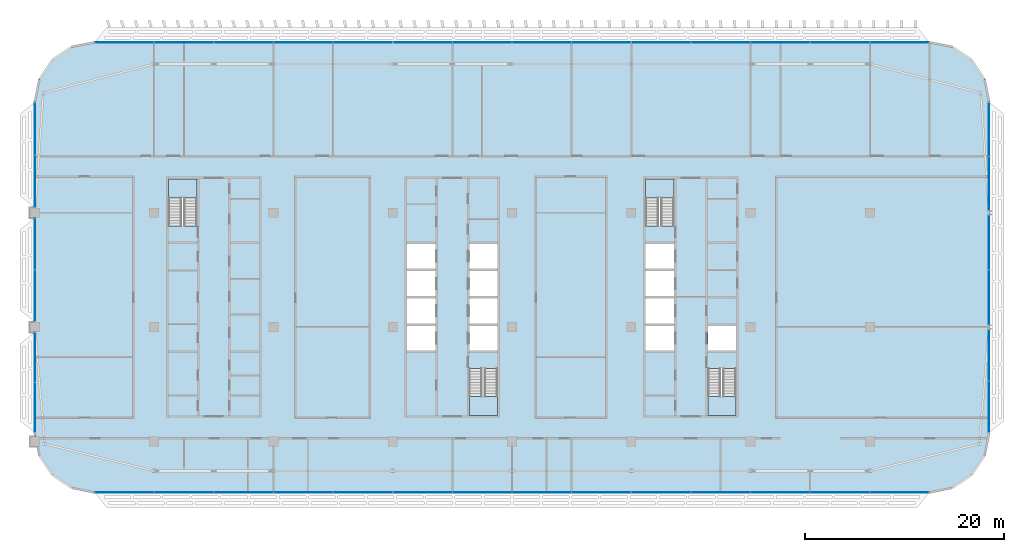
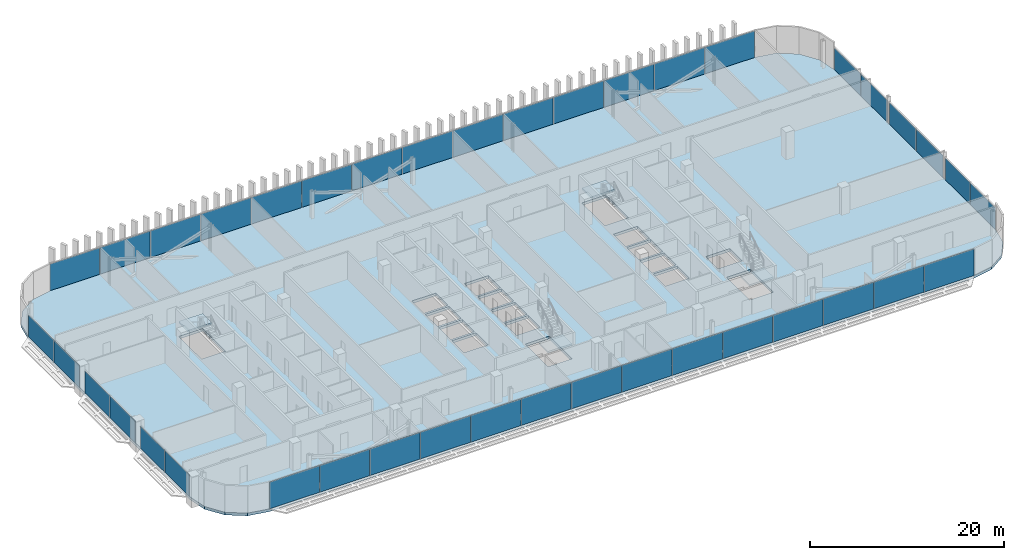
# One storey, part 16 of 32: 40 plates, 5 slabs, 12 elements without a shape of their own.
"""IFC4 building model written with IfcOpenShell, lengths in metres."""

from ifc_helpers import new_model, si_unit, direction, frame, origin, origin_2d, place, context, subcontext, project, spatial, polyline, rectangle, outline, extrude, material, layer, layer_set, type_object, element, aggregate, save


model = new_model("IFC4")

# Units and contexts
model_context = context("Model", 3, precision=1e-05, world=origin(), true_north=direction((0.0, 1.0)))
body_context = subcontext(model_context, "Body", "Model", "MODEL_VIEW")
ifc_project = project(units=[si_unit("LENGTHUNIT", "METRE"), si_unit("AREAUNIT", "SQUARE_METRE"), si_unit("VOLUMEUNIT", "CUBIC_METRE"), si_unit("PLANEANGLEUNIT", "RADIAN"), si_unit("MASSUNIT", "GRAM", prefix="KILO")], contexts=[model_context])

# Site, building, storey
site_placement = place(None, origin())
site = spatial("IfcSite", under=ifc_project, at=site_placement, CompositionType="ELEMENT")
building_placement = place(site_placement, origin())
building = spatial("IfcBuilding", under=site, at=building_placement, Name="Mahtab Terrace Research Tower", CompositionType="ELEMENT")
storey_placement = place(building_placement, frame((0.0, 0.0, 232.39990234375)))
storey = spatial("IfcBuildingStorey", under=building, at=storey_placement, Name="L56", CompositionType="ELEMENT", Elevation=232.39990234375)

# Stair, slab
ifc_material_1 = material(Name="Exit stair half-turn")
stair_type = type_object("IfcStairType", Name="Exit stair half-turn", PredefinedType="HALF_TURN_STAIR", material=ifc_material_1)
stair_1_placement = place(storey_placement, origin())
stair_1 = element("IfcStair", 1, at=stair_1_placement, inside=storey, type_object=stair_type, Name="L56 Protected exit stair ST1", PredefinedType="HALF_TURN_STAIR")
ifc_material_2 = material(Name="Concrete C40/50", Category="concrete")
ifc_layer_1 = layer(ifc_material_2, 0.199951171875)
ifc_layer_set_1 = layer_set([ifc_layer_1], Name="Exit stair landing 200")
slab_type_1 = type_object("IfcSlabType", Name="Exit stair landing 200", PredefinedType="LANDING", material=ifc_layer_set_1)
slab_1_placement = place(storey_placement, frame((0.0, 0.0, 1.7001953125)))
slab_1 = element("IfcSlab", 2, at=slab_1_placement, type_object=slab_type_1, Name="ST1 landing 1", PredefinedType="LANDING", context=body_context, shape_type="SweptSolid", body=[
    extrude(outline(polyline([(-25.699951171875, 12.97509765625), (-25.699951171875, 14.875), (-28.550048828125, 14.875), (-28.550048828125, 12.97509765625), (-25.699951171875, 12.97509765625)])), origin(), (0.0, 0.0, 1.0), 0.199951171875),
])
aggregate(stair_1, [slab_1])

stair_2_placement = place(storey_placement, origin())
stair_2 = element("IfcStair", 3, at=stair_2_placement, inside=storey, type_object=stair_type, Name="L56 Protected exit stair ST2", PredefinedType="HALF_TURN_STAIR")
slab_2_placement = place(storey_placement, frame((0.0, 0.0, 1.7001953125)))
slab_2 = element("IfcSlab", 4, at=slab_2_placement, type_object=slab_type_1, Name="ST2 landing 1", PredefinedType="LANDING", context=body_context, shape_type="SweptSolid", body=[
    extrude(outline(polyline([(1.699951171875, -6.97509765625), (1.699951171875, -8.875), (4.550048828125, -8.875), (4.550048828125, -6.97509765625), (1.699951171875, -6.97509765625)])), origin(), (0.0, 0.0, 1.0), 0.199951171875),
])
aggregate(stair_2, [slab_2])

stair_3_placement = place(storey_placement, origin())
stair_3 = element("IfcStair", 5, at=stair_3_placement, inside=storey, type_object=stair_type, Name="L56 Protected exit stair ST3", PredefinedType="HALF_TURN_STAIR")
slab_3_placement = place(storey_placement, frame((0.0, 0.0, 1.7001953125)))
slab_3 = element("IfcSlab", 6, at=slab_3_placement, type_object=slab_type_1, Name="ST3 landing 1", PredefinedType="LANDING", context=body_context, shape_type="SweptSolid", body=[
    extrude(outline(polyline([(22.300048828125, 12.97509765625), (22.300048828125, 14.875), (19.449951171875, 14.875), (19.449951171875, 12.97509765625), (22.300048828125, 12.97509765625)])), origin(), (0.0, 0.0, 1.0), 0.199951171875),
])
aggregate(stair_3, [slab_3])

stair_4_placement = place(storey_placement, origin())
stair_4 = element("IfcStair", 7, at=stair_4_placement, inside=storey, type_object=stair_type, Name="L56 Protected exit stair ST4", PredefinedType="HALF_TURN_STAIR")
slab_4_placement = place(storey_placement, frame((0.0, 0.0, 1.7001953125)))
slab_4 = element("IfcSlab", 8, at=slab_4_placement, type_object=slab_type_1, Name="ST4 landing 1", PredefinedType="LANDING", context=body_context, shape_type="SweptSolid", body=[
    extrude(outline(polyline([(25.699951171875, -6.97509765625), (25.699951171875, -8.875), (28.550048828125, -8.875), (28.550048828125, -6.97509765625), (25.699951171875, -6.97509765625)])), origin(), (0.0, 0.0, 1.0), 0.199951171875),
])
aggregate(stair_4, [slab_4])

# Curtain wall, plates
ifc_material_3 = material(Name="Office ribbon curtain wall")
curtain_wall_type = type_object("IfcCurtainWallType", Name="Office ribbon curtain wall", PredefinedType="NOTDEFINED", material=ifc_material_3)
curtain_wall_1_placement = place(storey_placement, origin())
curtain_wall_1 = element("IfcCurtainWall", 9, at=curtain_wall_1_placement, inside=storey, type_object=curtain_wall_type, Name="EN.L56.3.3", PredefinedType="NOTDEFINED")
ifc_material_4 = material(Name="Dark glazing", Category="glass")
ifc_layer_2 = layer(ifc_material_4, 0.030029296875)
ifc_layer_set_2 = layer_set([ifc_layer_2], Name="Office ribbon curtain wall glazing panel")
plate_type = type_object("IfcPlateType", Name="Office ribbon curtain wall glazing panel", PredefinedType="CURTAIN_PANEL", material=ifc_layer_set_2)
plate_1_placement = place(storey_placement, frame((44.985107421875, 28.638916015625, 0.0), z_axis=(0.0, 0.0, 1.0), x_axis=(-1.0, 0.0, 0.0)))
plate_1 = element("IfcPlate", 10, at=plate_1_placement, type_object=plate_type, Name="CWO-7 panel 1", PredefinedType="CURTAIN_PANEL", context=body_context, shape_type="SweptSolid", body=[
    extrude(rectangle(XDim=5.909912109375, YDim=0.030029296875, at=origin_2d()), origin(), (0.0, 0.0, 1.0), 3.360107421875),
])
plate_2_placement = place(storey_placement, frame((39.0, 28.638916015625, 0.0), z_axis=(0.0, 0.0, 1.0), x_axis=(-1.0, 0.0, 0.0)))
plate_2 = element("IfcPlate", 11, at=plate_2_placement, type_object=plate_type, Name="CWO-7 panel 2", PredefinedType="CURTAIN_PANEL", context=body_context, shape_type="SweptSolid", body=[
    extrude(rectangle(XDim=5.93994140625, YDim=0.030029296875, at=origin_2d()), origin(), (0.0, 0.0, 1.0), 3.360107421875),
])
plate_3_placement = place(storey_placement, frame((33.0, 28.638916015625, 0.0), z_axis=(0.0, 0.0, 1.0), x_axis=(-1.0, 0.0, 0.0)))
plate_3 = element("IfcPlate", 12, at=plate_3_placement, type_object=plate_type, Name="CWO-7 panel 3", PredefinedType="CURTAIN_PANEL", context=body_context, shape_type="SweptSolid", body=[
    extrude(rectangle(XDim=5.93994140625, YDim=0.030029296875, at=origin_2d()), origin(), (0.0, 0.0, 1.0), 3.360107421875),
])
plate_4_placement = place(storey_placement, frame((27.0, 28.638916015625, 0.0), z_axis=(0.0, 0.0, 1.0), x_axis=(-1.0, 0.0, 0.0)))
plate_4 = element("IfcPlate", 13, at=plate_4_placement, type_object=plate_type, Name="CWO-7 panel 4", PredefinedType="CURTAIN_PANEL", context=body_context, shape_type="SweptSolid", body=[
    extrude(rectangle(XDim=5.93994140625, YDim=0.030029296875, at=origin_2d()), origin(), (0.0, 0.0, 1.0), 3.360107421875),
])
plate_5_placement = place(storey_placement, frame((21.0, 28.638916015625, 0.0), z_axis=(0.0, 0.0, 1.0), x_axis=(-1.0, 0.0, 0.0)))
plate_5 = element("IfcPlate", 14, at=plate_5_placement, type_object=plate_type, Name="CWO-7 panel 5", PredefinedType="CURTAIN_PANEL", context=body_context, shape_type="SweptSolid", body=[
    extrude(rectangle(XDim=5.93994140625, YDim=0.030029296875, at=origin_2d()), origin(), (0.0, 0.0, 1.0), 3.360107421875),
])
plate_6_placement = place(storey_placement, frame((15.0, 28.638916015625, 0.0), z_axis=(0.0, 0.0, 1.0), x_axis=(-1.0, 0.0, 0.0)))
plate_6 = element("IfcPlate", 15, at=plate_6_placement, type_object=plate_type, Name="CWO-7 panel 6", PredefinedType="CURTAIN_PANEL", context=body_context, shape_type="SweptSolid", body=[
    extrude(rectangle(XDim=5.93994140625, YDim=0.030029296875, at=origin_2d()), origin(), (0.0, 0.0, 1.0), 3.360107421875),
])
plate_7_placement = place(storey_placement, frame((9.0, 28.638916015625, 0.0), z_axis=(0.0, 0.0, 1.0), x_axis=(-1.0, 0.0, 0.0)))
plate_7 = element("IfcPlate", 16, at=plate_7_placement, type_object=plate_type, Name="CWO-7 panel 7", PredefinedType="CURTAIN_PANEL", context=body_context, shape_type="SweptSolid", body=[
    extrude(rectangle(XDim=5.93994140625, YDim=0.030029296875, at=origin_2d()), origin(), (0.0, 0.0, 1.0), 3.360107421875),
])
plate_8_placement = place(storey_placement, frame((3.0, 28.638916015625, 0.0), z_axis=(0.0, 0.0, 1.0), x_axis=(-1.0, 0.0, 0.0)))
plate_8 = element("IfcPlate", 17, at=plate_8_placement, type_object=plate_type, Name="CWO-7 panel 8", PredefinedType="CURTAIN_PANEL", context=body_context, shape_type="SweptSolid", body=[
    extrude(rectangle(XDim=5.93994140625, YDim=0.030029296875, at=origin_2d()), origin(), (0.0, 0.0, 1.0), 3.360107421875),
])
plate_9_placement = place(storey_placement, frame((-3.0, 28.638916015625, 0.0), z_axis=(0.0, 0.0, 1.0), x_axis=(-1.0, 0.0, 0.0)))
plate_9 = element("IfcPlate", 18, at=plate_9_placement, type_object=plate_type, Name="CWO-7 panel 9", PredefinedType="CURTAIN_PANEL", context=body_context, shape_type="SweptSolid", body=[
    extrude(rectangle(XDim=5.93994140625, YDim=0.030029296875, at=origin_2d()), origin(), (0.0, 0.0, 1.0), 3.360107421875),
])
plate_10_placement = place(storey_placement, frame((-9.0, 28.638916015625, 0.0), z_axis=(0.0, 0.0, 1.0), x_axis=(-1.0, 0.0, 0.0)))
plate_10 = element("IfcPlate", 19, at=plate_10_placement, type_object=plate_type, Name="CWO-7 panel 10", PredefinedType="CURTAIN_PANEL", context=body_context, shape_type="SweptSolid", body=[
    extrude(rectangle(XDim=5.93994140625, YDim=0.030029296875, at=origin_2d()), origin(), (0.0, 0.0, 1.0), 3.360107421875),
])
plate_11_placement = place(storey_placement, frame((-15.0, 28.638916015625, 0.0), z_axis=(0.0, 0.0, 1.0), x_axis=(-1.0, 0.0, 0.0)))
plate_11 = element("IfcPlate", 20, at=plate_11_placement, type_object=plate_type, Name="CWO-7 panel 11", PredefinedType="CURTAIN_PANEL", context=body_context, shape_type="SweptSolid", body=[
    extrude(rectangle(XDim=5.93994140625, YDim=0.030029296875, at=origin_2d()), origin(), (0.0, 0.0, 1.0), 3.360107421875),
])
plate_12_placement = place(storey_placement, frame((-21.0, 28.638916015625, 0.0), z_axis=(0.0, 0.0, 1.0), x_axis=(-1.0, 0.0, 0.0)))
plate_12 = element("IfcPlate", 21, at=plate_12_placement, type_object=plate_type, Name="CWO-7 panel 12", PredefinedType="CURTAIN_PANEL", context=body_context, shape_type="SweptSolid", body=[
    extrude(rectangle(XDim=5.93994140625, YDim=0.030029296875, at=origin_2d()), origin(), (0.0, 0.0, 1.0), 3.360107421875),
])
plate_13_placement = place(storey_placement, frame((-27.0, 28.638916015625, 0.0), z_axis=(0.0, 0.0, 1.0), x_axis=(-1.0, 0.0, 0.0)))
plate_13 = element("IfcPlate", 22, at=plate_13_placement, type_object=plate_type, Name="CWO-7 panel 13", PredefinedType="CURTAIN_PANEL", context=body_context, shape_type="SweptSolid", body=[
    extrude(rectangle(XDim=5.93994140625, YDim=0.030029296875, at=origin_2d()), origin(), (0.0, 0.0, 1.0), 3.360107421875),
])
plate_14_placement = place(storey_placement, frame((-32.985107421875, 28.638916015625, 0.0), z_axis=(0.0, 0.0, 1.0), x_axis=(-1.0, 0.0, 0.0)))
plate_14 = element("IfcPlate", 23, at=plate_14_placement, type_object=plate_type, Name="CWO-7 panel 14", PredefinedType="CURTAIN_PANEL", context=body_context, shape_type="SweptSolid", body=[
    extrude(rectangle(XDim=5.909912109375, YDim=0.030029296875, at=origin_2d()), origin(), (0.0, 0.0, 1.0), 3.360107421875),
])
aggregate(curtain_wall_1, [plate_1, plate_2, plate_3, plate_4, plate_5, plate_6, plate_7, plate_8, plate_9, plate_10, plate_11, plate_12, plate_13, plate_14])

curtain_wall_2_placement = place(storey_placement, origin())
curtain_wall_2 = element("IfcCurtainWall", 24, at=curtain_wall_2_placement, inside=storey, type_object=curtain_wall_type, Name="EN.L56.8.8", PredefinedType="NOTDEFINED")
plate_15_placement = place(storey_placement, frame((-42.0, 19.96435546875, 0.0), z_axis=(0.0, 0.0, 1.0), x_axis=(0.0, -1.0, 0.0)))
plate_15 = element("IfcPlate", 25, at=plate_15_placement, type_object=plate_type, Name="CWO-7 panel 1", PredefinedType="CURTAIN_PANEL", context=body_context, shape_type="SweptSolid", body=[
    extrude(rectangle(XDim=5.2294921875, YDim=0.030029296875, at=origin_2d()), origin(), (0.0, 0.0, 1.0), 2.7529296875),
])
plate_16_placement = place(storey_placement, frame((-42.0, 14.6748046875, 0.0), z_axis=(0.0, 0.0, 1.0), x_axis=(0.0, -1.0, 0.0)))
plate_16 = element("IfcPlate", 26, at=plate_16_placement, type_object=plate_type, Name="CWO-7 panel 2", PredefinedType="CURTAIN_PANEL", context=body_context, shape_type="SweptSolid", body=[
    extrude(rectangle(XDim=5.2294921875, YDim=0.030029296875, at=origin_2d()), origin(), (0.0, 0.0, 1.0), 2.7529296875),
])
aggregate(curtain_wall_2, [plate_15, plate_16])

curtain_wall_3_placement = place(storey_placement, origin())
curtain_wall_3 = element("IfcCurtainWall", 27, at=curtain_wall_3_placement, inside=storey, type_object=curtain_wall_type, Name="EN.L56.8.9", PredefinedType="NOTDEFINED")
plate_17_placement = place(storey_placement, frame((-42.0, 8.360107421875, 0.0), z_axis=(0.0, 0.0, 1.0), x_axis=(0.0, -1.0, 0.0)))
plate_17 = element("IfcPlate", 28, at=plate_17_placement, type_object=plate_type, Name="CWO-7 panel 1", PredefinedType="CURTAIN_PANEL", context=body_context, shape_type="SweptSolid", body=[
    extrude(rectangle(XDim=5.159912109375, YDim=0.030029296875, at=origin_2d()), origin(), (0.0, 0.0, 1.0), 2.7529296875),
])
plate_18_placement = place(storey_placement, frame((-42.0, 3.139892578125, 0.0), z_axis=(0.0, 0.0, 1.0), x_axis=(0.0, -1.0, 0.0)))
plate_18 = element("IfcPlate", 29, at=plate_18_placement, type_object=plate_type, Name="CWO-7 panel 2", PredefinedType="CURTAIN_PANEL", context=body_context, shape_type="SweptSolid", body=[
    extrude(rectangle(XDim=5.159912109375, YDim=0.030029296875, at=origin_2d()), origin(), (0.0, 0.0, 1.0), 2.7529296875),
])
aggregate(curtain_wall_3, [plate_17, plate_18])

curtain_wall_4_placement = place(storey_placement, origin())
curtain_wall_4 = element("IfcCurtainWall", 30, at=curtain_wall_4_placement, inside=storey, type_object=curtain_wall_type, Name="EN.L56.8.10", PredefinedType="NOTDEFINED")
plate_19_placement = place(storey_placement, frame((-42.0, -3.0498046875, 0.0), z_axis=(0.0, 0.0, 1.0), x_axis=(0.0, -1.0, 0.0)))
plate_19 = element("IfcPlate", 31, at=plate_19_placement, type_object=plate_type, Name="CWO-7 panel 1", PredefinedType="CURTAIN_PANEL", context=body_context, shape_type="SweptSolid", body=[
    extrude(rectangle(XDim=4.9794921875, YDim=0.030029296875, at=origin_2d()), origin(), (0.0, 0.0, 1.0), 2.7529296875),
])
plate_20_placement = place(storey_placement, frame((-42.0, -8.08935546875, 0.0), z_axis=(0.0, 0.0, 1.0), x_axis=(0.0, -1.0, 0.0)))
plate_20 = element("IfcPlate", 32, at=plate_20_placement, type_object=plate_type, Name="CWO-7 panel 2", PredefinedType="CURTAIN_PANEL", context=body_context, shape_type="SweptSolid", body=[
    extrude(rectangle(XDim=4.9794921875, YDim=0.030029296875, at=origin_2d()), origin(), (0.0, 0.0, 1.0), 2.7529296875),
])
aggregate(curtain_wall_4, [plate_19, plate_20])

curtain_wall_5_placement = place(storey_placement, origin())
curtain_wall_5 = element("IfcCurtainWall", 33, at=curtain_wall_5_placement, inside=storey, type_object=curtain_wall_type, Name="EN.L56.13.16", PredefinedType="NOTDEFINED")
plate_21_placement = place(storey_placement, frame((-32.985107421875, -16.638916015625, 0.0), z_axis=(0.0, 0.0, 1.0), x_axis=(1.0, 0.0, 0.0)))
plate_21 = element("IfcPlate", 34, at=plate_21_placement, type_object=plate_type, Name="CWO-7 panel 1", PredefinedType="CURTAIN_PANEL", context=body_context, shape_type="SweptSolid", body=[
    extrude(rectangle(XDim=5.909912109375, YDim=0.030029296875, at=origin_2d()), origin(), (0.0, 0.0, 1.0), 3.360107421875),
])
plate_22_placement = place(storey_placement, frame((-27.0, -16.638916015625, 0.0), z_axis=(0.0, 0.0, 1.0), x_axis=(1.0, 0.0, 0.0)))
plate_22 = element("IfcPlate", 35, at=plate_22_placement, type_object=plate_type, Name="CWO-7 panel 2", PredefinedType="CURTAIN_PANEL", context=body_context, shape_type="SweptSolid", body=[
    extrude(rectangle(XDim=5.93994140625, YDim=0.030029296875, at=origin_2d()), origin(), (0.0, 0.0, 1.0), 3.360107421875),
])
plate_23_placement = place(storey_placement, frame((-21.0, -16.638916015625, 0.0), z_axis=(0.0, 0.0, 1.0), x_axis=(1.0, 0.0, 0.0)))
plate_23 = element("IfcPlate", 36, at=plate_23_placement, type_object=plate_type, Name="CWO-7 panel 3", PredefinedType="CURTAIN_PANEL", context=body_context, shape_type="SweptSolid", body=[
    extrude(rectangle(XDim=5.93994140625, YDim=0.030029296875, at=origin_2d()), origin(), (0.0, 0.0, 1.0), 3.360107421875),
])
plate_24_placement = place(storey_placement, frame((-15.0, -16.638916015625, 0.0), z_axis=(0.0, 0.0, 1.0), x_axis=(1.0, 0.0, 0.0)))
plate_24 = element("IfcPlate", 37, at=plate_24_placement, type_object=plate_type, Name="CWO-7 panel 4", PredefinedType="CURTAIN_PANEL", context=body_context, shape_type="SweptSolid", body=[
    extrude(rectangle(XDim=5.93994140625, YDim=0.030029296875, at=origin_2d()), origin(), (0.0, 0.0, 1.0), 3.360107421875),
])
plate_25_placement = place(storey_placement, frame((-9.0, -16.638916015625, 0.0), z_axis=(0.0, 0.0, 1.0), x_axis=(1.0, 0.0, 0.0)))
plate_25 = element("IfcPlate", 38, at=plate_25_placement, type_object=plate_type, Name="CWO-7 panel 5", PredefinedType="CURTAIN_PANEL", context=body_context, shape_type="SweptSolid", body=[
    extrude(rectangle(XDim=5.93994140625, YDim=0.030029296875, at=origin_2d()), origin(), (0.0, 0.0, 1.0), 3.360107421875),
])
plate_26_placement = place(storey_placement, frame((-3.0, -16.638916015625, 0.0), z_axis=(0.0, 0.0, 1.0), x_axis=(1.0, 0.0, 0.0)))
plate_26 = element("IfcPlate", 39, at=plate_26_placement, type_object=plate_type, Name="CWO-7 panel 6", PredefinedType="CURTAIN_PANEL", context=body_context, shape_type="SweptSolid", body=[
    extrude(rectangle(XDim=5.93994140625, YDim=0.030029296875, at=origin_2d()), origin(), (0.0, 0.0, 1.0), 3.360107421875),
])
plate_27_placement = place(storey_placement, frame((3.0, -16.638916015625, 0.0), z_axis=(0.0, 0.0, 1.0), x_axis=(1.0, 0.0, 0.0)))
plate_27 = element("IfcPlate", 40, at=plate_27_placement, type_object=plate_type, Name="CWO-7 panel 7", PredefinedType="CURTAIN_PANEL", context=body_context, shape_type="SweptSolid", body=[
    extrude(rectangle(XDim=5.93994140625, YDim=0.030029296875, at=origin_2d()), origin(), (0.0, 0.0, 1.0), 3.360107421875),
])
plate_28_placement = place(storey_placement, frame((9.0, -16.638916015625, 0.0), z_axis=(0.0, 0.0, 1.0), x_axis=(1.0, 0.0, 0.0)))
plate_28 = element("IfcPlate", 41, at=plate_28_placement, type_object=plate_type, Name="CWO-7 panel 8", PredefinedType="CURTAIN_PANEL", context=body_context, shape_type="SweptSolid", body=[
    extrude(rectangle(XDim=5.93994140625, YDim=0.030029296875, at=origin_2d()), origin(), (0.0, 0.0, 1.0), 3.360107421875),
])
plate_29_placement = place(storey_placement, frame((15.0, -16.638916015625, 0.0), z_axis=(0.0, 0.0, 1.0), x_axis=(1.0, 0.0, 0.0)))
plate_29 = element("IfcPlate", 42, at=plate_29_placement, type_object=plate_type, Name="CWO-7 panel 9", PredefinedType="CURTAIN_PANEL", context=body_context, shape_type="SweptSolid", body=[
    extrude(rectangle(XDim=5.93994140625, YDim=0.030029296875, at=origin_2d()), origin(), (0.0, 0.0, 1.0), 3.360107421875),
])
plate_30_placement = place(storey_placement, frame((21.0, -16.638916015625, 0.0), z_axis=(0.0, 0.0, 1.0), x_axis=(1.0, 0.0, 0.0)))
plate_30 = element("IfcPlate", 43, at=plate_30_placement, type_object=plate_type, Name="CWO-7 panel 10", PredefinedType="CURTAIN_PANEL", context=body_context, shape_type="SweptSolid", body=[
    extrude(rectangle(XDim=5.93994140625, YDim=0.030029296875, at=origin_2d()), origin(), (0.0, 0.0, 1.0), 3.360107421875),
])
plate_31_placement = place(storey_placement, frame((27.0, -16.638916015625, 0.0), z_axis=(0.0, 0.0, 1.0), x_axis=(1.0, 0.0, 0.0)))
plate_31 = element("IfcPlate", 44, at=plate_31_placement, type_object=plate_type, Name="CWO-7 panel 11", PredefinedType="CURTAIN_PANEL", context=body_context, shape_type="SweptSolid", body=[
    extrude(rectangle(XDim=5.93994140625, YDim=0.030029296875, at=origin_2d()), origin(), (0.0, 0.0, 1.0), 3.360107421875),
])
plate_32_placement = place(storey_placement, frame((33.0, -16.638916015625, 0.0), z_axis=(0.0, 0.0, 1.0), x_axis=(1.0, 0.0, 0.0)))
plate_32 = element("IfcPlate", 45, at=plate_32_placement, type_object=plate_type, Name="CWO-7 panel 12", PredefinedType="CURTAIN_PANEL", context=body_context, shape_type="SweptSolid", body=[
    extrude(rectangle(XDim=5.93994140625, YDim=0.030029296875, at=origin_2d()), origin(), (0.0, 0.0, 1.0), 3.360107421875),
])
plate_33_placement = place(storey_placement, frame((39.0, -16.638916015625, 0.0), z_axis=(0.0, 0.0, 1.0), x_axis=(1.0, 0.0, 0.0)))
plate_33 = element("IfcPlate", 46, at=plate_33_placement, type_object=plate_type, Name="CWO-7 panel 13", PredefinedType="CURTAIN_PANEL", context=body_context, shape_type="SweptSolid", body=[
    extrude(rectangle(XDim=5.93994140625, YDim=0.030029296875, at=origin_2d()), origin(), (0.0, 0.0, 1.0), 3.360107421875),
])
plate_34_placement = place(storey_placement, frame((44.985107421875, -16.638916015625, 0.0), z_axis=(0.0, 0.0, 1.0), x_axis=(1.0, 0.0, 0.0)))
plate_34 = element("IfcPlate", 47, at=plate_34_placement, type_object=plate_type, Name="CWO-7 panel 14", PredefinedType="CURTAIN_PANEL", context=body_context, shape_type="SweptSolid", body=[
    extrude(rectangle(XDim=5.909912109375, YDim=0.030029296875, at=origin_2d()), origin(), (0.0, 0.0, 1.0), 3.360107421875),
])
aggregate(curtain_wall_5, [plate_21, plate_22, plate_23, plate_24, plate_25, plate_26, plate_27, plate_28, plate_29, plate_30, plate_31, plate_32, plate_33, plate_34])

curtain_wall_6_placement = place(storey_placement, origin())
curtain_wall_6 = element("IfcCurtainWall", 48, at=curtain_wall_6_placement, inside=storey, type_object=curtain_wall_type, Name="EN.L56.18.21", PredefinedType="NOTDEFINED")
plate_35_placement = place(storey_placement, frame((54.0, -8.012451171875, 0.0), z_axis=(0.0, 0.0, 1.0), x_axis=(0.0, 1.0, 0.0)))
plate_35 = element("IfcPlate", 49, at=plate_35_placement, type_object=plate_type, Name="CWO-7 panel 1", PredefinedType="CURTAIN_PANEL", context=body_context, shape_type="SweptSolid", body=[
    extrude(rectangle(XDim=5.133056640625, YDim=0.030029296875, at=origin_2d()), origin(), (0.0, 0.0, 1.0), 2.7529296875),
])
plate_36_placement = place(storey_placement, frame((54.0, -2.819580078125, 0.0), z_axis=(0.0, 0.0, 1.0), x_axis=(0.0, 1.0, 0.0)))
plate_36 = element("IfcPlate", 50, at=plate_36_placement, type_object=plate_type, Name="CWO-7 panel 2", PredefinedType="CURTAIN_PANEL", context=body_context, shape_type="SweptSolid", body=[
    extrude(rectangle(XDim=5.133056640625, YDim=0.030029296875, at=origin_2d()), origin(), (0.0, 0.0, 1.0), 2.7529296875),
])
aggregate(curtain_wall_6, [plate_35, plate_36])

curtain_wall_7_placement = place(storey_placement, origin())
curtain_wall_7 = element("IfcCurtainWall", 51, at=curtain_wall_7_placement, inside=storey, type_object=curtain_wall_type, Name="EN.L56.18.22", PredefinedType="NOTDEFINED")
plate_37_placement = place(storey_placement, frame((54.0, 2.986572265625, 0.0), z_axis=(0.0, 0.0, 1.0), x_axis=(0.0, 1.0, 0.0)))
plate_37 = element("IfcPlate", 52, at=plate_37_placement, type_object=plate_type, Name="CWO-7 panel 1", PredefinedType="CURTAIN_PANEL", context=body_context, shape_type="SweptSolid", body=[
    extrude(rectangle(XDim=5.467041015625, YDim=0.030029296875, at=origin_2d()), origin(), (0.0, 0.0, 1.0), 2.7529296875),
])
plate_38_placement = place(storey_placement, frame((54.0, 8.513427734375, 0.0), z_axis=(0.0, 0.0, 1.0), x_axis=(0.0, 1.0, 0.0)))
plate_38 = element("IfcPlate", 53, at=plate_38_placement, type_object=plate_type, Name="CWO-7 panel 2", PredefinedType="CURTAIN_PANEL", context=body_context, shape_type="SweptSolid", body=[
    extrude(rectangle(XDim=5.467041015625, YDim=0.030029296875, at=origin_2d()), origin(), (0.0, 0.0, 1.0), 2.7529296875),
])
aggregate(curtain_wall_7, [plate_37, plate_38])

curtain_wall_8_placement = place(storey_placement, origin())
curtain_wall_8 = element("IfcCurtainWall", 54, at=curtain_wall_8_placement, inside=storey, type_object=curtain_wall_type, Name="EN.L56.18.23", PredefinedType="NOTDEFINED")
plate_39_placement = place(storey_placement, frame((54.0, 14.444580078125, 0.0), z_axis=(0.0, 0.0, 1.0), x_axis=(0.0, 1.0, 0.0)))
plate_39 = element("IfcPlate", 55, at=plate_39_placement, type_object=plate_type, Name="CWO-7 panel 1", PredefinedType="CURTAIN_PANEL", context=body_context, shape_type="SweptSolid", body=[
    extrude(rectangle(XDim=5.383056640625, YDim=0.030029296875, at=origin_2d()), origin(), (0.0, 0.0, 1.0), 2.7529296875),
])
plate_40_placement = place(storey_placement, frame((54.0, 19.887451171875, 0.0), z_axis=(0.0, 0.0, 1.0), x_axis=(0.0, 1.0, 0.0)))
plate_40 = element("IfcPlate", 56, at=plate_40_placement, type_object=plate_type, Name="CWO-7 panel 2", PredefinedType="CURTAIN_PANEL", context=body_context, shape_type="SweptSolid", body=[
    extrude(rectangle(XDim=5.383056640625, YDim=0.030029296875, at=origin_2d()), origin(), (0.0, 0.0, 1.0), 2.7529296875),
])
aggregate(curtain_wall_8, [plate_39, plate_40])

# Slab
ifc_layer_3 = layer(ifc_material_2, 0.340087890625)
ifc_layer_set_3 = layer_set([ifc_layer_3], Name="PT flat slab 340")
slab_type_2 = type_object("IfcSlabType", Name="PT flat slab 340", PredefinedType="FLOOR", material=ifc_layer_set_3)
slab_5_placement = place(storey_placement, frame((0.0, 0.0, -0.33984375)))
element("IfcSlab", 57, at=slab_5_placement, inside=storey, type_object=slab_type_2, Name="Floor slab L56", PredefinedType="FLOOR", context=body_context, shape_type="SweptSolid", body=[
    extrude(outline(polyline([(53.54296875, 24.93505859375), (52.242919921875, 26.882080078125), (50.2958984375, 28.181884765625), (48.0, 28.638916015625), (-36.0, 28.638916015625), (-38.2958984375, 28.181884765625), (-40.242919921875, 26.882080078125), (-41.54296875, 24.93505859375), (-42.0, 22.638916015625), (-42.0, -10.638916015625), (-41.54296875, -12.93505859375), (-40.242919921875, -14.882080078125), (-38.2958984375, -16.181884765625), (-36.0, -16.638916015625), (48.0, -16.638916015625), (50.2958984375, -16.181884765625), (52.242919921875, -14.882080078125), (53.54296875, -12.93505859375), (54.0, -10.638916015625), (54.0, 22.638916015625), (53.54296875, 24.93505859375)]), holes=[polyline([(-4.550048828125, -2.375), (-4.550048828125, 0.125), (-1.699951171875, 0.125), (-1.699951171875, -2.375), (-4.550048828125, -2.375)]), polyline([(1.699951171875, -2.375), (1.699951171875, 0.125), (4.550048828125, 0.125), (4.550048828125, -2.375), (1.699951171875, -2.375)]), polyline([(-4.550048828125, 0.375), (-4.550048828125, 2.875), (-1.699951171875, 2.875), (-1.699951171875, 0.375), (-4.550048828125, 0.375)]), polyline([(1.699951171875, 0.375), (1.699951171875, 2.875), (4.550048828125, 2.875), (4.550048828125, 0.375), (1.699951171875, 0.375)]), polyline([(-4.550048828125, 3.125), (-4.550048828125, 5.625), (-1.699951171875, 5.625), (-1.699951171875, 3.125), (-4.550048828125, 3.125)]), polyline([(1.699951171875, 3.125), (1.699951171875, 5.625), (4.550048828125, 5.625), (4.550048828125, 3.125), (1.699951171875, 3.125)]), polyline([(-4.550048828125, 5.875), (-4.550048828125, 8.375), (-1.699951171875, 8.375), (-1.699951171875, 5.875), (-4.550048828125, 5.875)]), polyline([(1.699951171875, 5.875), (1.699951171875, 8.375), (4.550048828125, 8.375), (4.550048828125, 5.875), (1.699951171875, 5.875)]), polyline([(-28.550048828125, 10.177001953125), (-28.550048828125, 14.875), (-25.699951171875, 14.875), (-25.699951171875, 10.177001953125), (-28.550048828125, 10.177001953125)]), polyline([(1.699951171875, -8.875), (1.699951171875, -4.177001953125), (4.550048828125, -4.177001953125), (4.550048828125, -8.875), (1.699951171875, -8.875)]), polyline([(25.699951171875, -8.875), (25.699951171875, -4.177001953125), (28.550048828125, -4.177001953125), (28.550048828125, -8.875), (25.699951171875, -8.875)]), polyline([(19.449951171875, -2.375), (19.449951171875, 0.125), (22.300048828125, 0.125), (22.300048828125, -2.375), (19.449951171875, -2.375)]), polyline([(25.699951171875, -2.375), (25.699951171875, 0.125), (28.550048828125, 0.125), (28.550048828125, -2.375), (25.699951171875, -2.375)]), polyline([(19.449951171875, 0.375), (19.449951171875, 2.875), (22.300048828125, 2.875), (22.300048828125, 0.375), (19.449951171875, 0.375)]), polyline([(19.449951171875, 3.125), (19.449951171875, 5.625), (22.300048828125, 5.625), (22.300048828125, 3.125), (19.449951171875, 3.125)]), polyline([(19.449951171875, 8.375), (22.300048828125, 8.375), (22.300048828125, 5.875), (19.449951171875, 5.875), (19.449951171875, 8.375)]), polyline([(19.449951171875, 14.875), (22.300048828125, 14.875), (22.300048828125, 10.177001953125), (19.449951171875, 10.177001953125), (19.449951171875, 14.875)])]), origin(), (0.0, 0.0, 1.0), 0.33984375),
])

save(model, "model.ifc")
